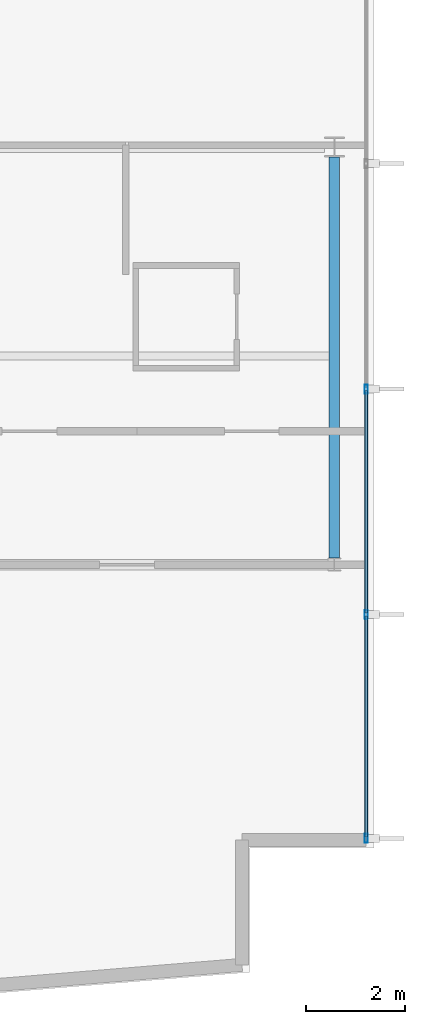
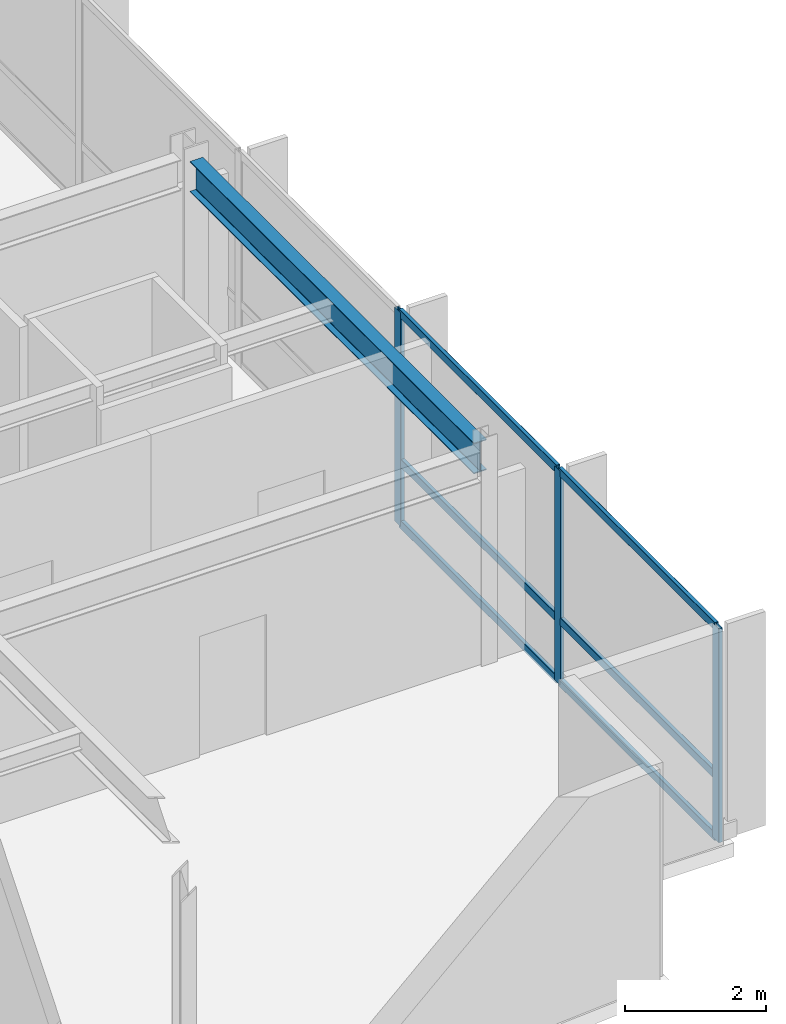
# One storey, part 5 of 17: 9 members, 1 beam, 1 element without a shape of its own.
"""IFC4 building model written with IfcOpenShell, lengths in metres."""

from ifc_helpers import new_model, si_unit, direction, frame, origin, origin_2d, place, context, subcontext, project, spatial, hollow_rectangle, i_section, extrude, material, layer, layer_set, material_profile, profile_set, type_object, element, aggregate, save


model = new_model("IFC4")

# Units and contexts
model_context = context("Model", 3, precision=1e-05, world=origin(), true_north=direction((0.0, 1.0)))
body_context = subcontext(model_context, "Body", "Model", "MODEL_VIEW")
ifc_project = project(units=[si_unit("LENGTHUNIT", "METRE"), si_unit("AREAUNIT", "SQUARE_METRE"), si_unit("VOLUMEUNIT", "CUBIC_METRE"), si_unit("PLANEANGLEUNIT", "RADIAN"), si_unit("MASSUNIT", "GRAM", prefix="KILO")], contexts=[model_context])

# Site, building, storey
site_placement = place(None, origin())
site = spatial("IfcSite", under=ifc_project, at=site_placement, CompositionType="ELEMENT")
building_placement = place(site_placement, origin())
building = spatial("IfcBuilding", under=site, at=building_placement, Name="Varnakote Quay Hospital", CompositionType="ELEMENT")
storey_placement = place(building_placement, frame((0.0, 0.0, 184.199951171875)))
storey = spatial("IfcBuildingStorey", under=building, at=storey_placement, Name="L45", CompositionType="ELEMENT", Elevation=184.199951171875)

# Beam
ifc_material_1 = material(Name="Structural steel AS/NZS 3679.1 Grade 350 L0 (fy 340 MPa)", Category="steel")
ifc_material_profile_1 = material_profile(ifc_material_1, i_section(OverallWidth=0.208984375, OverallDepth=0.532958984375, WebThickness=0.01025390625, FlangeThickness=0.015625, FilletRadius=0.013916015625, at=origin_2d()), Name="530UB92.4")
ifc_profile_set_1 = profile_set([ifc_material_profile_1], Name="Structural steel AS/NZS 3679.1 Grade 350 L0 (fy 340 MPa)")
beam_type = type_object("IfcBeamType", Name="BM-STL-530UB92-4", PredefinedType="BEAM", material=ifc_profile_set_1)
beam_placement = place(storey_placement, frame((50.39990234375, 12.1298828125, 3.443603515625), z_axis=(0.0, 1.0, 0.0), x_axis=(-1.0, 0.0, 0.0)))
element("IfcBeam", 1, at=beam_placement, inside=storey, type_object=beam_type, Name="L45 Primary Tie Beam", PredefinedType="BEAM", context=body_context, shape_type="SweptSolid", body=[
    extrude(i_section(OverallWidth=0.208984375, OverallDepth=0.532958984375, WebThickness=0.01025390625, FlangeThickness=0.015625, FilletRadius=0.013916015625, at=origin_2d()), origin(), (0.0, 0.0, 1.0), 8.068115234375),
])

# Curtain wall, members
ifc_material_2 = material(Name="Anodised aluminium 6063-T6 Bronze", Category="aluminium")
ifc_layer = layer(ifc_material_2, 0.219970703125)
ifc_layer_set = layer_set([ifc_layer], Name="Anodised aluminium 6063-T6 Bronze")
curtain_wall_type = type_object("IfcCurtainWallType", Name="CW-SYS-4", PredefinedType="NOTDEFINED", material=ifc_layer_set)
curtain_wall_placement = place(storey_placement, origin())
curtain_wall = element("IfcCurtainWall", 2, at=curtain_wall_placement, inside=storey, type_object=curtain_wall_type, Name="L45 Unitised Bronze Curtain Wall 1", PredefinedType="NOTDEFINED")
ifc_material_3 = material(Name="Anodised aluminium 6063-T6 Bronze", Category="aluminium")
ifc_material_profile_2 = material_profile(ifc_material_3, hollow_rectangle(XDim=0.06494140625, YDim=0.179931640625, WallThickness=0.00390625, InnerFilletRadius=0.00390625, OuterFilletRadius=0.008056640625, at=origin_2d()), Name="CW-MULL-180x65")
ifc_profile_set_2 = profile_set([ifc_material_profile_2], Name="Anodised aluminium 6063-T6 Bronze")
member_type_1 = type_object("IfcMemberType", Name="CW-MULL-180x65", PredefinedType="MULLION", material=ifc_profile_set_2)
member_1_placement = place(storey_placement, frame((51.0400390625, 6.492431640625, 0.0), z_axis=(0.0, 0.0, 1.0), x_axis=(-1.0, 0.0, 0.0)))
member_1 = element("IfcMember", 3, at=member_1_placement, type_object=member_type_1, Name="-4-L45-1 mullion 1", PredefinedType="MULLION", context=body_context, shape_type="SweptSolid", body=[
    extrude(hollow_rectangle(XDim=0.06494140625, YDim=0.179931640625, WallThickness=0.00390625, InnerFilletRadius=0.00390625, OuterFilletRadius=0.008056640625, at=origin_2d()), origin(), (0.0, 0.0, 1.0), 3.7099609375),
])
member_2_placement = place(storey_placement, frame((51.0400390625, 10.99609375, 0.0), z_axis=(0.0, 0.0, 1.0), x_axis=(-1.0, 0.0, 0.0)))
member_2 = element("IfcMember", 4, at=member_2_placement, type_object=member_type_1, Name="-4-L45-1 mullion 2", PredefinedType="MULLION", context=body_context, shape_type="SweptSolid", body=[
    extrude(hollow_rectangle(XDim=0.06494140625, YDim=0.179931640625, WallThickness=0.00390625, InnerFilletRadius=0.00390625, OuterFilletRadius=0.008056640625, at=origin_2d()), origin(), (0.0, 0.0, 1.0), 3.7099609375),
])
member_3_placement = place(storey_placement, frame((51.0400390625, 15.531982421875, 0.0), z_axis=(0.0, 0.0, 1.0), x_axis=(-1.0, 0.0, 0.0)))
member_3 = element("IfcMember", 5, at=member_3_placement, type_object=member_type_1, Name="-4-L45-1 mullion 3", PredefinedType="MULLION", context=body_context, shape_type="SweptSolid", body=[
    extrude(hollow_rectangle(XDim=0.06494140625, YDim=0.179931640625, WallThickness=0.00390625, InnerFilletRadius=0.00390625, OuterFilletRadius=0.008056640625, at=origin_2d()), origin(), (0.0, 0.0, 1.0), 3.7099609375),
])
ifc_material_4 = material(Name="Anodised aluminium 6063-T6 Bronze", Category="aluminium")
ifc_material_profile_3 = material_profile(ifc_material_4, hollow_rectangle(XDim=0.06494140625, YDim=0.139892578125, WallThickness=0.00390625, InnerFilletRadius=0.00390625, OuterFilletRadius=0.007568359375, at=origin_2d()), Name="CW-TRAN-140x65")
ifc_profile_set_3 = profile_set([ifc_material_profile_3], Name="Anodised aluminium 6063-T6 Bronze")
member_type_2 = type_object("IfcMemberType", Name="CW-TRAN-140x65", PredefinedType="USERDEFINED", material=ifc_profile_set_3)
member_4_placement = place(storey_placement, frame((51.0400390625, 6.52490234375, 0.032470703125), z_axis=(0.0, 1.0, 0.0), x_axis=(-1.0, 0.0, 0.0)))
member_4 = element("IfcMember", 6, at=member_4_placement, type_object=member_type_2, Name="-4-L45-1 transom 1.1", ObjectType="TRANSOM", PredefinedType="USERDEFINED", context=body_context, shape_type="SweptSolid", body=[
    extrude(hollow_rectangle(XDim=0.06494140625, YDim=0.139892578125, WallThickness=0.00390625, InnerFilletRadius=0.00390625, OuterFilletRadius=0.007568359375, at=origin_2d()), origin(), (0.0, 0.0, 1.0), 4.4384765625),
])
member_5_placement = place(storey_placement, frame((51.0400390625, 6.52490234375, 1.10009765625), z_axis=(0.0, 1.0, 0.0), x_axis=(-1.0, 0.0, 0.0)))
member_5 = element("IfcMember", 7, at=member_5_placement, type_object=member_type_2, Name="-4-L45-1 transom 1.2", ObjectType="TRANSOM", PredefinedType="USERDEFINED", context=body_context, shape_type="SweptSolid", body=[
    extrude(hollow_rectangle(XDim=0.06494140625, YDim=0.139892578125, WallThickness=0.00390625, InnerFilletRadius=0.00390625, OuterFilletRadius=0.007568359375, at=origin_2d()), origin(), (0.0, 0.0, 1.0), 4.4384765625),
])
member_6_placement = place(storey_placement, frame((51.0400390625, 6.52490234375, 3.677490234375), z_axis=(0.0, 1.0, 0.0), x_axis=(-1.0, 0.0, 0.0)))
member_6 = element("IfcMember", 8, at=member_6_placement, type_object=member_type_2, Name="-4-L45-1 transom 1.3", ObjectType="TRANSOM", PredefinedType="USERDEFINED", context=body_context, shape_type="SweptSolid", body=[
    extrude(hollow_rectangle(XDim=0.06494140625, YDim=0.139892578125, WallThickness=0.00390625, InnerFilletRadius=0.00390625, OuterFilletRadius=0.007568359375, at=origin_2d()), origin(), (0.0, 0.0, 1.0), 4.4384765625),
])
member_7_placement = place(storey_placement, frame((51.0400390625, 11.028564453125, 0.032470703125), z_axis=(0.0, 1.0, 0.0), x_axis=(-1.0, 0.0, 0.0)))
member_7 = element("IfcMember", 9, at=member_7_placement, type_object=member_type_2, Name="-4-L45-1 transom 2.1", ObjectType="TRANSOM", PredefinedType="USERDEFINED", context=body_context, shape_type="SweptSolid", body=[
    extrude(hollow_rectangle(XDim=0.06494140625, YDim=0.139892578125, WallThickness=0.00390625, InnerFilletRadius=0.00390625, OuterFilletRadius=0.007568359375, at=origin_2d()), origin(), (0.0, 0.0, 1.0), 4.470947265625),
])
member_8_placement = place(storey_placement, frame((51.0400390625, 11.028564453125, 1.10009765625), z_axis=(0.0, 1.0, 0.0), x_axis=(-1.0, 0.0, 0.0)))
member_8 = element("IfcMember", 10, at=member_8_placement, type_object=member_type_2, Name="-4-L45-1 transom 2.2", ObjectType="TRANSOM", PredefinedType="USERDEFINED", context=body_context, shape_type="SweptSolid", body=[
    extrude(hollow_rectangle(XDim=0.06494140625, YDim=0.139892578125, WallThickness=0.00390625, InnerFilletRadius=0.00390625, OuterFilletRadius=0.007568359375, at=origin_2d()), origin(), (0.0, 0.0, 1.0), 4.470947265625),
])
member_9_placement = place(storey_placement, frame((51.0400390625, 11.028564453125, 3.677490234375), z_axis=(0.0, 1.0, 0.0), x_axis=(-1.0, 0.0, 0.0)))
member_9 = element("IfcMember", 11, at=member_9_placement, type_object=member_type_2, Name="-4-L45-1 transom 2.3", ObjectType="TRANSOM", PredefinedType="USERDEFINED", context=body_context, shape_type="SweptSolid", body=[
    extrude(hollow_rectangle(XDim=0.06494140625, YDim=0.139892578125, WallThickness=0.00390625, InnerFilletRadius=0.00390625, OuterFilletRadius=0.007568359375, at=origin_2d()), origin(), (0.0, 0.0, 1.0), 4.470947265625),
])
aggregate(curtain_wall, [member_1, member_2, member_3, member_4, member_5, member_6, member_7, member_8, member_9])

save(model, "model.ifc")
